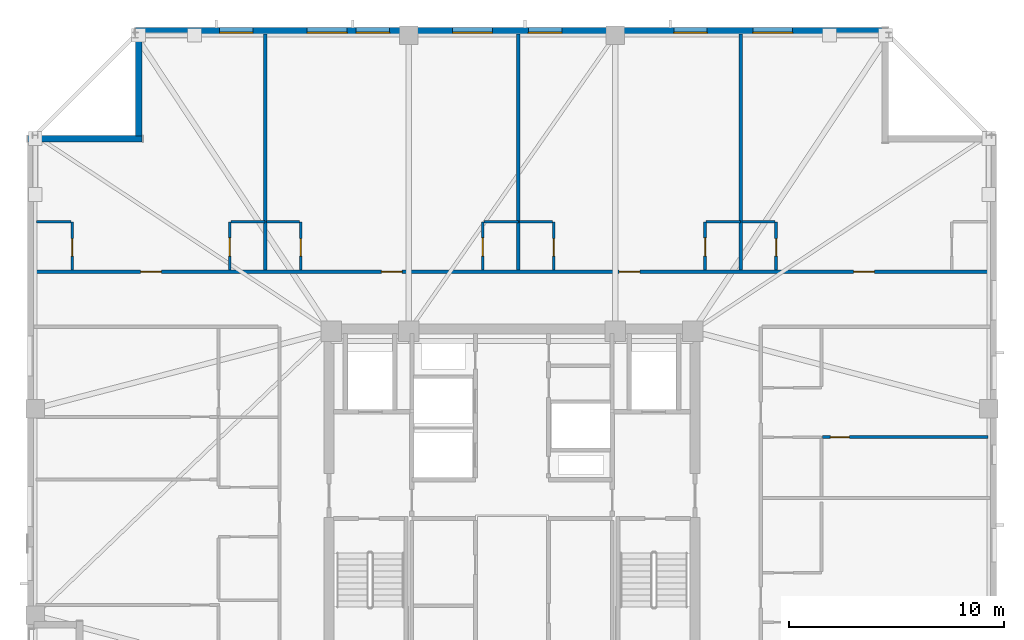
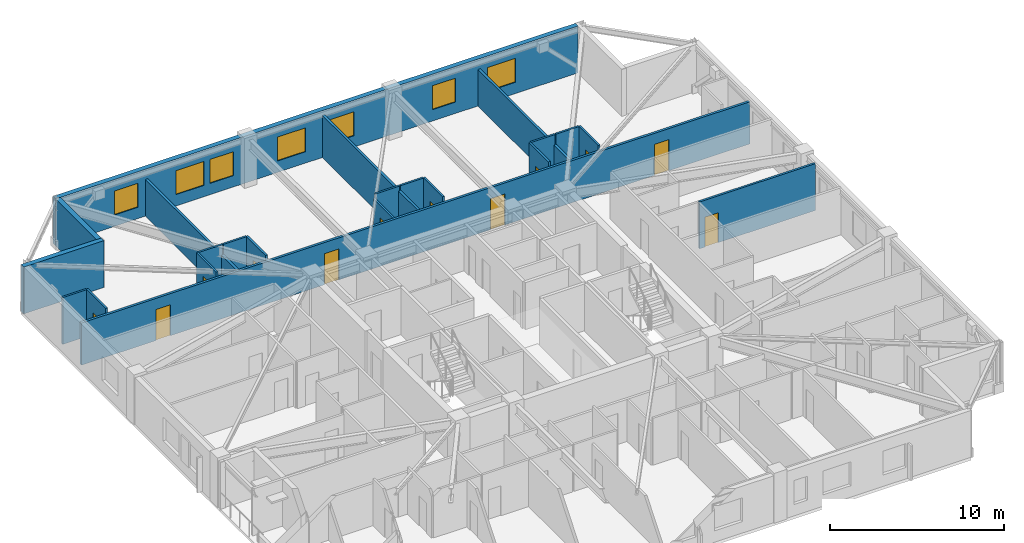
# One storey, part 11 of 16: 22 walls, 12 doors, 7 windows, 19 openings.
"""IFC4 building model written with IfcOpenShell, lengths in metres."""

from ifc_helpers import new_model, si_unit, direction, frame, frame_2d, origin, place, context, subcontext, project, spatial, rectangle, extrude, material, layer, layer_set, type_object, element, fill, save


model = new_model("IFC4")

# Units and contexts
model_context = context("Model", 3, precision=1e-05, world=origin(), true_north=direction((0.0, 1.0)))
body_context = subcontext(model_context, "Body", "Model", "MODEL_VIEW")
ifc_project = project(units=[si_unit("LENGTHUNIT", "METRE"), si_unit("AREAUNIT", "SQUARE_METRE"), si_unit("VOLUMEUNIT", "CUBIC_METRE"), si_unit("PLANEANGLEUNIT", "RADIAN"), si_unit("MASSUNIT", "GRAM", prefix="KILO")], contexts=[model_context])

# Site, building, storey
site_placement = place(None, origin())
site = spatial("IfcSite", under=ifc_project, at=site_placement, CompositionType="ELEMENT")
building_placement = place(site_placement, origin())
building = spatial("IfcBuilding", under=site, at=building_placement, Name="Cairnveth Concourse Tower", CompositionType="ELEMENT")
storey_placement = place(building_placement, frame((0.0, 0.0, 255.0)))
storey = spatial("IfcBuildingStorey", under=building, at=storey_placement, Name="L70", CompositionType="ELEMENT", Elevation=255.0)

# Wall, openings, doors
ifc_material_1 = material(Name="Gypsum Plasterboard Partition", Category="gypsum")
ifc_layer_1 = layer(ifc_material_1, 0.159912109375)
ifc_layer_set_1 = layer_set([ifc_layer_1], Name="Gypsum Plasterboard Partition")
wall_type_1 = type_object("IfcWallType", Name="ACOUSTIC PARTY WALL 180", PredefinedType="PARTITIONING", material=ifc_layer_set_1)
wall_1_placement = place(storey_placement, frame((29.804931640625, 50.152587890625, 0.0), z_axis=(0.0, 0.0, 1.0), x_axis=(1.0, 0.0, 0.0)))
wall_1 = element("IfcWall", 1, at=wall_1_placement, inside=storey, type_object=wall_type_1, Name="Interior Wall IW-L70-036", PredefinedType="PARTITIONING", context=body_context, shape_type="SweptSolid", body=[
    extrude(rectangle(XDim=44.39013671875, YDim=0.159912109375, at=frame_2d((22.195068359375, 0.0))), origin(), (0.0, 0.0, 1.0), 2.9580078125),
])
opening_1_placement = place(wall_1_placement, frame((4.94384765625, 0.0, 0.0)))
opening_1 = element("IfcOpeningElement", 2, at=opening_1_placement, cuts=wall_1, Name="Opening ID10", PredefinedType="OPENING", context=body_context, shape_type="SweptSolid", body=[
    extrude(rectangle(XDim=0.9599609375, YDim=2.179931640625, at=frame_2d((0.47998046875, 1.08984375))), frame((0.0, 0.08984375, 0.0), z_axis=(0.0, -1.0, 0.0), x_axis=(1.0, 0.0, 0.0)), (0.0, 0.0, 1.0), 0.179931640625),
])
opening_2_placement = place(wall_1_placement, frame((16.1298828125, 0.0, 0.0)))
opening_2 = element("IfcOpeningElement", 3, at=opening_2_placement, cuts=wall_1, Name="Opening ID10", PredefinedType="OPENING", context=body_context, shape_type="SweptSolid", body=[
    extrude(rectangle(XDim=0.9599609375, YDim=2.179931640625, at=frame_2d((0.47998046875, 1.08984375))), frame((0.0, 0.08984375, 0.0), z_axis=(0.0, -1.0, 0.0), x_axis=(1.0, 0.0, 0.0)), (0.0, 0.0, 1.0), 0.179931640625),
])
opening_3_placement = place(wall_1_placement, frame((27.169921875, 0.0, 0.0)))
opening_3 = element("IfcOpeningElement", 4, at=opening_3_placement, cuts=wall_1, Name="Opening ID10", PredefinedType="OPENING", context=body_context, shape_type="SweptSolid", body=[
    extrude(rectangle(XDim=0.9599609375, YDim=2.179931640625, at=frame_2d((0.47998046875, 1.08984375))), frame((0.0, 0.08984375, 0.0), z_axis=(0.0, -1.0, 0.0), x_axis=(1.0, 0.0, 0.0)), (0.0, 0.0, 1.0), 0.179931640625),
])
opening_4_placement = place(wall_1_placement, frame((38.063720703125, 0.0, 0.0)))
opening_4 = element("IfcOpeningElement", 5, at=opening_4_placement, cuts=wall_1, Name="Opening ID10", PredefinedType="OPENING", context=body_context, shape_type="SweptSolid", body=[
    extrude(rectangle(XDim=0.9599609375, YDim=2.179931640625, at=frame_2d((0.47998046875, 1.08984375))), frame((0.0, 0.08984375, 0.0), z_axis=(0.0, -1.0, 0.0), x_axis=(1.0, 0.0, 0.0)), (0.0, 0.0, 1.0), 0.179931640625),
])
ifc_material_2 = material(Name="Solid Core Hardwood Timber Leaf", Category="wood")
door_type_1 = type_object("IfcDoorType", Name="FLAT ENTRANCE DOOR 960X2150", OperationType="NOTDEFINED", PredefinedType="DOOR", material=ifc_material_2)
door_1_placement = place(opening_1_placement, origin())
door_1 = element("IfcDoor", 6, at=door_1_placement, inside=storey, type_object=door_type_1, Name="Studio L70STN1 Entrance Door", OperationType="SINGLE_SWING_RIGHT", OverallHeight=2.179931640625, OverallWidth=0.9599609375, PredefinedType="DOOR", context=body_context, shape_type="SweptSolid", body=[
    extrude(rectangle(XDim=0.9599609375, YDim=2.179931640625, at=frame_2d((0.47998046875, 1.08984375))), frame((0.0, 0.02490234375, 0.0), z_axis=(0.0, -1.0, 0.0), x_axis=(1.0, 0.0, 0.0)), (0.0, 0.0, 1.0), 0.050048828125),
])
fill(opening_1, door_1)
door_2_placement = place(opening_2_placement, origin())
door_2 = element("IfcDoor", 7, at=door_2_placement, inside=storey, type_object=door_type_1, Name="Studio L70STN2 Entrance Door", OperationType="SINGLE_SWING_LEFT", OverallHeight=2.179931640625, OverallWidth=0.9599609375, PredefinedType="DOOR", context=body_context, shape_type="SweptSolid", body=[
    extrude(rectangle(XDim=0.9599609375, YDim=2.179931640625, at=frame_2d((0.47998046875, 1.08984375))), frame((0.0, 0.02490234375, 0.0), z_axis=(0.0, -1.0, 0.0), x_axis=(1.0, 0.0, 0.0)), (0.0, 0.0, 1.0), 0.050048828125),
])
fill(opening_2, door_2)
door_3_placement = place(opening_3_placement, origin())
door_3 = element("IfcDoor", 8, at=door_3_placement, inside=storey, type_object=door_type_1, Name="Studio L70STN3 Entrance Door", OperationType="SINGLE_SWING_RIGHT", OverallHeight=2.179931640625, OverallWidth=0.9599609375, PredefinedType="DOOR", context=body_context, shape_type="SweptSolid", body=[
    extrude(rectangle(XDim=0.9599609375, YDim=2.179931640625, at=frame_2d((0.47998046875, 1.08984375))), frame((0.0, 0.02490234375, 0.0), z_axis=(0.0, -1.0, 0.0), x_axis=(1.0, 0.0, 0.0)), (0.0, 0.0, 1.0), 0.050048828125),
])
fill(opening_3, door_3)
door_4_placement = place(opening_4_placement, origin())
door_4 = element("IfcDoor", 9, at=door_4_placement, inside=storey, type_object=door_type_1, Name="Studio L70STN4 Entrance Door", OperationType="SINGLE_SWING_LEFT", OverallHeight=2.179931640625, OverallWidth=0.9599609375, PredefinedType="DOOR", context=body_context, shape_type="SweptSolid", body=[
    extrude(rectangle(XDim=0.9599609375, YDim=2.179931640625, at=frame_2d((0.47998046875, 1.08984375))), frame((0.0, 0.02490234375, 0.0), z_axis=(0.0, -1.0, 0.0), x_axis=(1.0, 0.0, 0.0)), (0.0, 0.0, 1.0), 0.050048828125),
])
fill(opening_4, door_4)

# Walls
wall_2_placement = place(storey_placement, frame((40.53759765625, 50.232421875, 0.0), z_axis=(0.0, 0.0, 1.0), x_axis=(0.0, 1.0, 0.0)))
element("IfcWall", 10, at=wall_2_placement, inside=storey, type_object=wall_type_1, Name="Interior Wall IW-L70-078", PredefinedType="PARTITIONING", context=body_context, shape_type="SweptSolid", body=[
    extrude(rectangle(XDim=10.962646484375, YDim=0.159912109375, at=frame_2d((5.4814453125, 0.0))), origin(), (0.0, 0.0, 1.0), 2.572998046875),
])
wall_3_placement = place(storey_placement, frame((52.29248046875, 50.232421875, 0.0), z_axis=(0.0, 0.0, 1.0), x_axis=(0.0, 1.0, 0.0)))
element("IfcWall", 11, at=wall_3_placement, inside=storey, type_object=wall_type_1, Name="Interior Wall IW-L70-083", PredefinedType="PARTITIONING", context=body_context, shape_type="SweptSolid", body=[
    extrude(rectangle(XDim=10.962646484375, YDim=0.159912109375, at=frame_2d((5.4814453125, 0.0))), origin(), (0.0, 0.0, 1.0), 2.9580078125),
])
wall_4_placement = place(storey_placement, frame((62.617431640625, 50.232421875, 0.0), z_axis=(0.0, 0.0, 1.0), x_axis=(0.0, 1.0, 0.0)))
element("IfcWall", 12, at=wall_4_placement, inside=storey, type_object=wall_type_1, Name="Interior Wall IW-L70-088", PredefinedType="PARTITIONING", context=body_context, shape_type="SweptSolid", body=[
    extrude(rectangle(XDim=10.962646484375, YDim=0.159912109375, at=frame_2d((5.4814453125, 0.0))), origin(), (0.0, 0.0, 1.0), 2.572998046875),
])

# Wall, opening, door
ifc_layer_2 = layer(ifc_material_1, 0.139892578125)
ifc_layer_set_2 = layer_set([ifc_layer_2], Name="Gypsum Plasterboard Partition")
wall_type_2 = type_object("IfcWallType", Name="GYPSUM STUD PARTITION 140", PredefinedType="PARTITIONING", material=ifc_layer_set_2)
wall_5_placement = place(storey_placement, frame((66.429931640625, 42.47509765625, 0.0), z_axis=(0.0, 0.0, 1.0), x_axis=(1.0, 0.0, 0.0)))
wall_5 = element("IfcWall", 13, at=wall_5_placement, inside=storey, type_object=wall_type_2, Name="Interior Wall IW-L70-115", PredefinedType="PARTITIONING", context=body_context, shape_type="SweptSolid", body=[
    extrude(rectangle(XDim=7.690185546875, YDim=0.139892578125, at=frame_2d((3.84521484375, 0.0))), origin(), (0.0, 0.0, 1.0), 3.2900390625),
])
opening_5_placement = place(wall_5_placement, frame((0.360107421875, 0.0, 0.0)))
opening_5 = element("IfcOpeningElement", 14, at=opening_5_placement, cuts=wall_5, Name="Opening ID18", PredefinedType="OPENING", context=body_context, shape_type="SweptSolid", body=[
    extrude(rectangle(XDim=0.8798828125, YDim=2.10009765625, at=frame_2d((0.43994140625, 1.050048828125))), frame((0.0, 0.079833984375, 0.0), z_axis=(0.0, -1.0, 0.0), x_axis=(1.0, 0.0, 0.0)), (0.0, 0.0, 1.0), 0.159912109375),
])
door_type_2 = type_object("IfcDoorType", Name="INTERIOR SINGLE DOOR 880X2100", OperationType="NOTDEFINED", PredefinedType="DOOR", material=ifc_material_2)
door_5_placement = place(opening_5_placement, origin())
door_5 = element("IfcDoor", 15, at=door_5_placement, inside=storey, type_object=door_type_2, Name="L70E2 Master Bedroom Door", OperationType="SINGLE_SWING_RIGHT", OverallHeight=2.10009765625, OverallWidth=0.8798828125, PredefinedType="DOOR", context=body_context, shape_type="SweptSolid", body=[
    extrude(rectangle(XDim=0.8798828125, YDim=2.10009765625, at=frame_2d((0.43994140625, 1.050048828125))), frame((0.0, 0.02490234375, 0.0), z_axis=(0.0, -1.0, 0.0), x_axis=(1.0, 0.0, 0.0)), (0.0, 0.0, 1.0), 0.050048828125),
])
fill(opening_5, door_5)

ifc_layer_3 = layer(ifc_material_1, 0.1298828125)
ifc_layer_set_3 = layer_set([ifc_layer_3], Name="Gypsum Plasterboard Partition")
wall_type_3 = type_object("IfcWallType", Name="WET AREA PARTITION 140", PredefinedType="PLUMBINGWALL", material=ifc_layer_set_3)
wall_6_placement = place(storey_placement, frame((31.570068359375, 50.232421875, 0.0), z_axis=(0.0, 0.0, 1.0), x_axis=(0.0, 1.0, 0.0)))
wall_6 = element("IfcWall", 16, at=wall_6_placement, inside=storey, type_object=wall_type_3, Name="Interior Wall IW-L70-074", PredefinedType="PLUMBINGWALL", context=body_context, shape_type="SweptSolid", body=[
    extrude(rectangle(XDim=2.25, YDim=0.1298828125, at=frame_2d((1.125, 0.0))), origin(), (0.0, 0.0, 1.0), 3.2900390625),
])
opening_6_placement = place(wall_6_placement, frame((0.64990234375, 0.0, 0.0)))
opening_6 = element("IfcOpeningElement", 17, at=opening_6_placement, cuts=wall_6, Name="Opening ID22", PredefinedType="OPENING", context=body_context, shape_type="SweptSolid", body=[
    extrude(rectangle(XDim=0.820068359375, YDim=2.10009765625, at=frame_2d((0.41015625, 1.050048828125))), frame((0.0, 0.074951171875, 0.0), z_axis=(0.0, -1.0, 0.0), x_axis=(1.0, 0.0, 0.0)), (0.0, 0.0, 1.0), 0.14990234375),
])
door_type_3 = type_object("IfcDoorType", Name="INTERIOR WC DOOR 820X2100", OperationType="NOTDEFINED", PredefinedType="DOOR", material=ifc_material_2)
door_6_placement = place(opening_6_placement, origin())
door_6 = element("IfcDoor", 18, at=door_6_placement, inside=storey, type_object=door_type_3, Name="L70STN1 Bathroom Door", OperationType="SINGLE_SWING_RIGHT", OverallHeight=2.10009765625, OverallWidth=0.820068359375, PredefinedType="DOOR", context=body_context, shape_type="SweptSolid", body=[
    extrude(rectangle(XDim=0.820068359375, YDim=2.10009765625, at=frame_2d((0.41015625, 1.050048828125))), frame((0.0, 0.02490234375, 0.0), z_axis=(0.0, -1.0, 0.0), x_axis=(1.0, 0.0, 0.0)), (0.0, 0.0, 1.0), 0.050048828125),
])
fill(opening_6, door_6)

# Wall
wall_7_placement = place(storey_placement, frame((29.919921875, 52.482421875, 0.0), z_axis=(0.0, 0.0, 1.0), x_axis=(1.0, 0.0, 0.0)))
element("IfcWall", 19, at=wall_7_placement, inside=storey, type_object=wall_type_3, Name="Interior Wall IW-L70-075", PredefinedType="PLUMBINGWALL", context=body_context, shape_type="SweptSolid", body=[
    extrude(rectangle(XDim=1.60009765625, YDim=0.1298828125, at=frame_2d((0.800048828125, 0.0))), origin(), (0.0, 0.0, 1.0), 3.2900390625),
])

# Wall, opening, door
wall_8_placement = place(storey_placement, frame((38.887451171875, 50.232421875, 0.0), z_axis=(0.0, 0.0, 1.0), x_axis=(0.0, 1.0, 0.0)))
wall_8 = element("IfcWall", 20, at=wall_8_placement, inside=storey, type_object=wall_type_3, Name="Interior Wall IW-L70-076", PredefinedType="PLUMBINGWALL", context=body_context, shape_type="SweptSolid", body=[
    extrude(rectangle(XDim=2.25, YDim=0.1298828125, at=frame_2d((1.125, 0.0))), origin(), (0.0, 0.0, 1.0), 3.2900390625),
])
opening_7_placement = place(wall_8_placement, frame((0.64990234375, 0.0, 0.0)))
opening_7 = element("IfcOpeningElement", 21, at=opening_7_placement, cuts=wall_8, Name="Opening ID20", PredefinedType="OPENING", context=body_context, shape_type="SweptSolid", body=[
    extrude(rectangle(XDim=0.85009765625, YDim=2.10009765625, at=frame_2d((0.425048828125, 1.050048828125))), frame((0.0, 0.074951171875, 0.0), z_axis=(0.0, -1.0, 0.0), x_axis=(1.0, 0.0, 0.0)), (0.0, 0.0, 1.0), 0.14990234375),
])
door_type_4 = type_object("IfcDoorType", Name="INTERIOR SINGLE DOOR 850X2100", OperationType="NOTDEFINED", PredefinedType="DOOR", material=ifc_material_2)
door_7_placement = place(opening_7_placement, origin())
door_7 = element("IfcDoor", 22, at=door_7_placement, inside=storey, type_object=door_type_4, Name="L70STN1 Kitchen Door", OperationType="SINGLE_SWING_LEFT", OverallHeight=2.10009765625, OverallWidth=0.85009765625, PredefinedType="DOOR", context=body_context, shape_type="SweptSolid", body=[
    extrude(rectangle(XDim=0.85009765625, YDim=2.10009765625, at=frame_2d((0.425048828125, 1.050048828125))), frame((0.0, 0.02490234375, 0.0), z_axis=(0.0, -1.0, 0.0), x_axis=(1.0, 0.0, 0.0)), (0.0, 0.0, 1.0), 0.050048828125),
])
fill(opening_7, door_7)

# Wall
wall_9_placement = place(storey_placement, frame((38.9375, 52.482421875, 0.0), z_axis=(0.0, 0.0, 1.0), x_axis=(1.0, 0.0, 0.0)))
element("IfcWall", 23, at=wall_9_placement, inside=storey, type_object=wall_type_3, Name="Interior Wall IW-L70-077", PredefinedType="PLUMBINGWALL", context=body_context, shape_type="SweptSolid", body=[
    extrude(rectangle(XDim=1.60009765625, YDim=0.1298828125, at=frame_2d((0.800048828125, 0.0))), origin(), (0.0, 0.0, 1.0), 3.2900390625),
])

# Wall, opening, door
wall_10_placement = place(storey_placement, frame((42.1875, 50.232421875, 0.0), z_axis=(0.0, 0.0, 1.0), x_axis=(0.0, 1.0, 0.0)))
wall_10 = element("IfcWall", 24, at=wall_10_placement, inside=storey, type_object=wall_type_3, Name="Interior Wall IW-L70-079", PredefinedType="PLUMBINGWALL", context=body_context, shape_type="SweptSolid", body=[
    extrude(rectangle(XDim=2.25, YDim=0.1298828125, at=frame_2d((1.125, 0.0))), origin(), (0.0, 0.0, 1.0), 3.2900390625),
])
opening_8_placement = place(wall_10_placement, frame((0.64990234375, 0.0, 0.0)))
opening_8 = element("IfcOpeningElement", 25, at=opening_8_placement, cuts=wall_10, Name="Opening ID22", PredefinedType="OPENING", context=body_context, shape_type="SweptSolid", body=[
    extrude(rectangle(XDim=0.820068359375, YDim=2.10009765625, at=frame_2d((0.41015625, 1.050048828125))), frame((0.0, 0.074951171875, 0.0), z_axis=(0.0, -1.0, 0.0), x_axis=(1.0, 0.0, 0.0)), (0.0, 0.0, 1.0), 0.14990234375),
])
door_8_placement = place(opening_8_placement, origin())
door_8 = element("IfcDoor", 26, at=door_8_placement, inside=storey, type_object=door_type_3, Name="L70STN2 Bathroom Door", OperationType="SINGLE_SWING_LEFT", OverallHeight=2.10009765625, OverallWidth=0.820068359375, PredefinedType="DOOR", context=body_context, shape_type="SweptSolid", body=[
    extrude(rectangle(XDim=0.820068359375, YDim=2.10009765625, at=frame_2d((0.41015625, 1.050048828125))), frame((0.0, 0.02490234375, 0.0), z_axis=(0.0, -1.0, 0.0), x_axis=(1.0, 0.0, 0.0)), (0.0, 0.0, 1.0), 0.050048828125),
])
fill(opening_8, door_8)

# Wall
wall_11_placement = place(storey_placement, frame((40.6025390625, 52.482421875, 0.0), z_axis=(0.0, 0.0, 1.0), x_axis=(1.0, 0.0, 0.0)))
element("IfcWall", 27, at=wall_11_placement, inside=storey, type_object=wall_type_3, Name="Interior Wall IW-L70-080", PredefinedType="PLUMBINGWALL", context=body_context, shape_type="SweptSolid", body=[
    extrude(rectangle(XDim=1.534912109375, YDim=0.1298828125, at=frame_2d((0.767578125, 0.0))), origin(), (0.0, 0.0, 1.0), 3.2900390625),
])

# Wall, opening, door
wall_12_placement = place(storey_placement, frame((50.642578125, 50.232421875, 0.0), z_axis=(0.0, 0.0, 1.0), x_axis=(0.0, 1.0, 0.0)))
wall_12 = element("IfcWall", 28, at=wall_12_placement, inside=storey, type_object=wall_type_3, Name="Interior Wall IW-L70-081", PredefinedType="PLUMBINGWALL", context=body_context, shape_type="SweptSolid", body=[
    extrude(rectangle(XDim=2.25, YDim=0.1298828125, at=frame_2d((1.125, 0.0))), origin(), (0.0, 0.0, 1.0), 2.9580078125),
])
opening_9_placement = place(wall_12_placement, frame((0.64990234375, 0.0, 0.0)))
opening_9 = element("IfcOpeningElement", 29, at=opening_9_placement, cuts=wall_12, Name="Opening ID20", PredefinedType="OPENING", context=body_context, shape_type="SweptSolid", body=[
    extrude(rectangle(XDim=0.85009765625, YDim=2.10009765625, at=frame_2d((0.425048828125, 1.050048828125))), frame((0.0, 0.074951171875, 0.0), z_axis=(0.0, -1.0, 0.0), x_axis=(1.0, 0.0, 0.0)), (0.0, 0.0, 1.0), 0.14990234375),
])
door_9_placement = place(opening_9_placement, origin())
door_9 = element("IfcDoor", 30, at=door_9_placement, inside=storey, type_object=door_type_4, Name="L70STN2 Kitchen Door", OperationType="SINGLE_SWING_RIGHT", OverallHeight=2.10009765625, OverallWidth=0.85009765625, PredefinedType="DOOR", context=body_context, shape_type="SweptSolid", body=[
    extrude(rectangle(XDim=0.85009765625, YDim=2.10009765625, at=frame_2d((0.425048828125, 1.050048828125))), frame((0.0, 0.02490234375, 0.0), z_axis=(0.0, -1.0, 0.0), x_axis=(1.0, 0.0, 0.0)), (0.0, 0.0, 1.0), 0.050048828125),
])
fill(opening_9, door_9)

# Wall
wall_13_placement = place(storey_placement, frame((50.6923828125, 52.482421875, 0.0), z_axis=(0.0, 0.0, 1.0), x_axis=(1.0, 0.0, 0.0)))
element("IfcWall", 31, at=wall_13_placement, inside=storey, type_object=wall_type_3, Name="Interior Wall IW-L70-082", PredefinedType="PLUMBINGWALL", context=body_context, shape_type="SweptSolid", body=[
    extrude(rectangle(XDim=1.60009765625, YDim=0.1298828125, at=frame_2d((0.800048828125, 0.0))), origin(), (0.0, 0.0, 1.0), 3.2900390625),
])

# Wall, opening, door
wall_14_placement = place(storey_placement, frame((53.9423828125, 50.232421875, 0.0), z_axis=(0.0, 0.0, 1.0), x_axis=(0.0, 1.0, 0.0)))
wall_14 = element("IfcWall", 32, at=wall_14_placement, inside=storey, type_object=wall_type_3, Name="Interior Wall IW-L70-084", PredefinedType="PLUMBINGWALL", context=body_context, shape_type="SweptSolid", body=[
    extrude(rectangle(XDim=2.25, YDim=0.1298828125, at=frame_2d((1.125, 0.0))), origin(), (0.0, 0.0, 1.0), 3.2900390625),
])
opening_10_placement = place(wall_14_placement, frame((0.64990234375, 0.0, 0.0)))
opening_10 = element("IfcOpeningElement", 33, at=opening_10_placement, cuts=wall_14, Name="Opening ID22", PredefinedType="OPENING", context=body_context, shape_type="SweptSolid", body=[
    extrude(rectangle(XDim=0.820068359375, YDim=2.10009765625, at=frame_2d((0.41015625, 1.050048828125))), frame((0.0, 0.074951171875, 0.0), z_axis=(0.0, -1.0, 0.0), x_axis=(1.0, 0.0, 0.0)), (0.0, 0.0, 1.0), 0.14990234375),
])
door_10_placement = place(opening_10_placement, origin())
door_10 = element("IfcDoor", 34, at=door_10_placement, inside=storey, type_object=door_type_3, Name="L70STN3 Bathroom Door", OperationType="SINGLE_SWING_RIGHT", OverallHeight=2.10009765625, OverallWidth=0.820068359375, PredefinedType="DOOR", context=body_context, shape_type="SweptSolid", body=[
    extrude(rectangle(XDim=0.820068359375, YDim=2.10009765625, at=frame_2d((0.41015625, 1.050048828125))), frame((0.0, 0.02490234375, 0.0), z_axis=(0.0, -1.0, 0.0), x_axis=(1.0, 0.0, 0.0)), (0.0, 0.0, 1.0), 0.050048828125),
])
fill(opening_10, door_10)

# Wall
wall_15_placement = place(storey_placement, frame((52.357421875, 52.482421875, 0.0), z_axis=(0.0, 0.0, 1.0), x_axis=(1.0, 0.0, 0.0)))
element("IfcWall", 35, at=wall_15_placement, inside=storey, type_object=wall_type_3, Name="Interior Wall IW-L70-085", PredefinedType="PLUMBINGWALL", context=body_context, shape_type="SweptSolid", body=[
    extrude(rectangle(XDim=1.53515625, YDim=0.1298828125, at=frame_2d((0.767578125, 0.0))), origin(), (0.0, 0.0, 1.0), 3.2900390625),
])

# Wall, opening, door
wall_16_placement = place(storey_placement, frame((60.967529296875, 50.232421875, 0.0), z_axis=(0.0, 0.0, 1.0), x_axis=(0.0, 1.0, 0.0)))
wall_16 = element("IfcWall", 36, at=wall_16_placement, inside=storey, type_object=wall_type_3, Name="Interior Wall IW-L70-086", PredefinedType="PLUMBINGWALL", context=body_context, shape_type="SweptSolid", body=[
    extrude(rectangle(XDim=2.25, YDim=0.1298828125, at=frame_2d((1.125, 0.0))), origin(), (0.0, 0.0, 1.0), 3.2900390625),
])
opening_11_placement = place(wall_16_placement, frame((0.64990234375, 0.0, 0.0)))
opening_11 = element("IfcOpeningElement", 37, at=opening_11_placement, cuts=wall_16, Name="Opening ID20", PredefinedType="OPENING", context=body_context, shape_type="SweptSolid", body=[
    extrude(rectangle(XDim=0.85009765625, YDim=2.10009765625, at=frame_2d((0.425048828125, 1.050048828125))), frame((0.0, 0.074951171875, 0.0), z_axis=(0.0, -1.0, 0.0), x_axis=(1.0, 0.0, 0.0)), (0.0, 0.0, 1.0), 0.14990234375),
])
door_11_placement = place(opening_11_placement, origin())
door_11 = element("IfcDoor", 38, at=door_11_placement, inside=storey, type_object=door_type_4, Name="L70STN3 Kitchen Door", OperationType="SINGLE_SWING_LEFT", OverallHeight=2.10009765625, OverallWidth=0.85009765625, PredefinedType="DOOR", context=body_context, shape_type="SweptSolid", body=[
    extrude(rectangle(XDim=0.85009765625, YDim=2.10009765625, at=frame_2d((0.425048828125, 1.050048828125))), frame((0.0, 0.02490234375, 0.0), z_axis=(0.0, -1.0, 0.0), x_axis=(1.0, 0.0, 0.0)), (0.0, 0.0, 1.0), 0.050048828125),
])
fill(opening_11, door_11)

# Wall
wall_17_placement = place(storey_placement, frame((61.017578125, 52.482421875, 0.0), z_axis=(0.0, 0.0, 1.0), x_axis=(1.0, 0.0, 0.0)))
element("IfcWall", 39, at=wall_17_placement, inside=storey, type_object=wall_type_3, Name="Interior Wall IW-L70-087", PredefinedType="PLUMBINGWALL", context=body_context, shape_type="SweptSolid", body=[
    extrude(rectangle(XDim=1.599853515625, YDim=0.1298828125, at=frame_2d((0.7998046875, 0.0))), origin(), (0.0, 0.0, 1.0), 3.2900390625),
])

# Wall, opening, door
wall_18_placement = place(storey_placement, frame((64.267578125, 50.232421875, 0.0), z_axis=(0.0, 0.0, 1.0), x_axis=(0.0, 1.0, 0.0)))
wall_18 = element("IfcWall", 40, at=wall_18_placement, inside=storey, type_object=wall_type_3, Name="Interior Wall IW-L70-089", PredefinedType="PLUMBINGWALL", context=body_context, shape_type="SweptSolid", body=[
    extrude(rectangle(XDim=2.25, YDim=0.1298828125, at=frame_2d((1.125, 0.0))), origin(), (0.0, 0.0, 1.0), 3.2900390625),
])
opening_12_placement = place(wall_18_placement, frame((0.64990234375, 0.0, 0.0)))
opening_12 = element("IfcOpeningElement", 41, at=opening_12_placement, cuts=wall_18, Name="Opening ID22", PredefinedType="OPENING", context=body_context, shape_type="SweptSolid", body=[
    extrude(rectangle(XDim=0.820068359375, YDim=2.10009765625, at=frame_2d((0.41015625, 1.050048828125))), frame((0.0, 0.074951171875, 0.0), z_axis=(0.0, -1.0, 0.0), x_axis=(1.0, 0.0, 0.0)), (0.0, 0.0, 1.0), 0.14990234375),
])
door_12_placement = place(opening_12_placement, origin())
door_12 = element("IfcDoor", 42, at=door_12_placement, inside=storey, type_object=door_type_3, Name="L70STN4 Bathroom Door", OperationType="SINGLE_SWING_LEFT", OverallHeight=2.10009765625, OverallWidth=0.820068359375, PredefinedType="DOOR", context=body_context, shape_type="SweptSolid", body=[
    extrude(rectangle(XDim=0.820068359375, YDim=2.10009765625, at=frame_2d((0.41015625, 1.050048828125))), frame((0.0, 0.02490234375, 0.0), z_axis=(0.0, -1.0, 0.0), x_axis=(1.0, 0.0, 0.0)), (0.0, 0.0, 1.0), 0.050048828125),
])
fill(opening_12, door_12)

# Walls
wall_19_placement = place(storey_placement, frame((62.6826171875, 52.482421875, 0.0), z_axis=(0.0, 0.0, 1.0), x_axis=(1.0, 0.0, 0.0)))
element("IfcWall", 43, at=wall_19_placement, inside=storey, type_object=wall_type_3, Name="Interior Wall IW-L70-090", PredefinedType="PLUMBINGWALL", context=body_context, shape_type="SweptSolid", body=[
    extrude(rectangle(XDim=1.534912109375, YDim=0.1298828125, at=frame_2d((0.767578125, 0.0))), origin(), (0.0, 0.0, 1.0), 3.2900390625),
])
ifc_material_3 = material(Name="Melbourne Buff Fired Clay Brick Masonry", Category="masonry")
ifc_layer_4 = layer(ifc_material_3, 0.320068359375)
ifc_layer_set_4 = layer_set([ifc_layer_4], Name="Melbourne Buff Fired Clay Brick Masonry")
wall_type_4 = type_object("IfcWallType", Name="ZONE 3 BRICK PIER SPANDREL WALL 320", PredefinedType="SOLIDWALL", material=ifc_layer_set_4)
wall_20_placement = place(storey_placement, frame((29.5, 56.340087890625, 0.0), z_axis=(0.0, 0.0, 1.0), x_axis=(1.0, 0.0, 0.0)))
element("IfcWall", 44, at=wall_20_placement, inside=storey, type_object=wall_type_4, Name="Exterior Wall EW-L70-S01", PredefinedType="SOLIDWALL", context=body_context, shape_type="SweptSolid", body=[
    extrude(rectangle(XDim=5.320068359375, YDim=0.320068359375, at=frame_2d((2.66015625, 0.0))), origin(), (0.0, 0.0, 1.0), 3.2900390625),
])
wall_21_placement = place(storey_placement, frame((34.659912109375, 56.47802734375, 0.0), z_axis=(0.0, 0.0, 1.0), x_axis=(0.0, 1.0, 0.0)))
element("IfcWall", 45, at=wall_21_placement, inside=storey, type_object=wall_type_4, Name="Exterior Wall EW-L70-S02", PredefinedType="SOLIDWALL", context=body_context, shape_type="SweptSolid", body=[
    extrude(rectangle(XDim=4.723876953125, YDim=0.320068359375, at=frame_2d((2.36181640625, 0.0))), origin(), (0.0, 0.0, 1.0), 3.2900390625),
])

# Wall, openings, windows
wall_22_placement = place(storey_placement, frame((34.5, 61.340087890625, 0.0), z_axis=(0.0, 0.0, 1.0), x_axis=(1.0, 0.0, 0.0)))
wall_22 = element("IfcWall", 46, at=wall_22_placement, inside=storey, type_object=wall_type_4, Name="Exterior Wall EW-L70-S03", PredefinedType="SOLIDWALL", context=body_context, shape_type="SweptSolid", body=[
    extrude(rectangle(XDim=34.701904296875, YDim=0.320068359375, at=frame_2d((17.35107421875, 0.0))), origin(), (0.0, 0.0, 1.0), 3.2900390625),
])
opening_13_placement = place(wall_22_placement, frame((3.91259765625, 0.0, 0.800048828125)))
opening_13 = element("IfcOpeningElement", 47, at=opening_13_placement, cuts=wall_22, Name="Opening W07", PredefinedType="OPENING", context=body_context, shape_type="SweptSolid", body=[
    extrude(rectangle(XDim=1.550048828125, YDim=1.677978515625, at=frame_2d((0.77490234375, 0.8388671875))), frame((0.0, 0.169921875, 0.0), z_axis=(0.0, -1.0, 0.0), x_axis=(1.0, 0.0, 0.0)), (0.0, 0.0, 1.0), 0.340087890625),
])
opening_14_placement = place(wall_22_placement, frame((7.98779296875, 0.0, 0.800048828125)))
opening_14 = element("IfcOpeningElement", 48, at=opening_14_placement, cuts=wall_22, Name="Opening W08", PredefinedType="OPENING", context=body_context, shape_type="SweptSolid", body=[
    extrude(rectangle(XDim=1.85009765625, YDim=1.677978515625, at=frame_2d((0.925048828125, 0.8388671875))), frame((0.0, 0.169921875, 0.0), z_axis=(0.0, -1.0, 0.0), x_axis=(1.0, 0.0, 0.0)), (0.0, 0.0, 1.0), 0.340087890625),
])
opening_15_placement = place(wall_22_placement, frame((10.26318359375, 0.0, 0.800048828125)))
opening_15 = element("IfcOpeningElement", 49, at=opening_15_placement, cuts=wall_22, Name="Opening W07", PredefinedType="OPENING", context=body_context, shape_type="SweptSolid", body=[
    extrude(rectangle(XDim=1.550048828125, YDim=1.677978515625, at=frame_2d((0.77490234375, 0.8388671875))), frame((0.0, 0.169921875, 0.0), z_axis=(0.0, -1.0, 0.0), x_axis=(1.0, 0.0, 0.0)), (0.0, 0.0, 1.0), 0.340087890625),
])
opening_16_placement = place(wall_22_placement, frame((14.73828125, 0.0, 0.800048828125)))
opening_16 = element("IfcOpeningElement", 50, at=opening_16_placement, cuts=wall_22, Name="Opening W08", PredefinedType="OPENING", context=body_context, shape_type="SweptSolid", body=[
    extrude(rectangle(XDim=1.85009765625, YDim=1.677978515625, at=frame_2d((0.925048828125, 0.8388671875))), frame((0.0, 0.169921875, 0.0), z_axis=(0.0, -1.0, 0.0), x_axis=(1.0, 0.0, 0.0)), (0.0, 0.0, 1.0), 0.340087890625),
])
opening_17_placement = place(wall_22_placement, frame((18.263671875, 0.0, 0.800048828125)))
opening_17 = element("IfcOpeningElement", 51, at=opening_17_placement, cuts=wall_22, Name="Opening W07", PredefinedType="OPENING", context=body_context, shape_type="SweptSolid", body=[
    extrude(rectangle(XDim=1.550048828125, YDim=1.677978515625, at=frame_2d((0.77490234375, 0.8388671875))), frame((0.0, 0.169921875, 0.0), z_axis=(0.0, -1.0, 0.0), x_axis=(1.0, 0.0, 0.0)), (0.0, 0.0, 1.0), 0.340087890625),
])
opening_18_placement = place(wall_22_placement, frame((25.01416015625, 0.0, 0.800048828125)))
opening_18 = element("IfcOpeningElement", 52, at=opening_18_placement, cuts=wall_22, Name="Opening W07", PredefinedType="OPENING", context=body_context, shape_type="SweptSolid", body=[
    extrude(rectangle(XDim=1.550048828125, YDim=1.677978515625, at=frame_2d((0.77490234375, 0.8388671875))), frame((0.0, 0.169921875, 0.0), z_axis=(0.0, -1.0, 0.0), x_axis=(1.0, 0.0, 0.0)), (0.0, 0.0, 1.0), 0.340087890625),
])
opening_19_placement = place(wall_22_placement, frame((28.689453125, 0.0, 0.800048828125)))
opening_19 = element("IfcOpeningElement", 53, at=opening_19_placement, cuts=wall_22, Name="Opening W08", PredefinedType="OPENING", context=body_context, shape_type="SweptSolid", body=[
    extrude(rectangle(XDim=1.85009765625, YDim=1.677978515625, at=frame_2d((0.925048828125, 0.8388671875))), frame((0.0, 0.169921875, 0.0), z_axis=(0.0, -1.0, 0.0), x_axis=(1.0, 0.0, 0.0)), (0.0, 0.0, 1.0), 0.340087890625),
])
ifc_material_4 = material(Name="Double Glazed Low-E Clear Glass", Category="glass")
window_type_1 = type_object("IfcWindowType", Name="DEEP-SET APARTMENT LIVING WINDOW 1850X1850", PartitioningType="DOUBLE_PANEL_VERTICAL", PredefinedType="WINDOW", material=ifc_material_4)
window_1_placement = place(opening_14_placement, origin())
window_1 = element("IfcWindow", 54, at=window_1_placement, inside=storey, type_object=window_type_1, Name="Gothic Lancet Window L70-3-2", OverallHeight=1.677978515625, OverallWidth=1.85009765625, PartitioningType="SINGLE_PANEL", PredefinedType="WINDOW", context=body_context, shape_type="SweptSolid", body=[
    extrude(rectangle(XDim=1.85009765625, YDim=1.677978515625, at=frame_2d((0.925048828125, 0.8388671875))), frame((0.0, -0.050048828125, 0.0), z_axis=(0.0, -1.0, 0.0), x_axis=(1.0, 0.0, 0.0)), (0.0, 0.0, 1.0), 0.06005859375),
])
fill(opening_14, window_1)
window_2_placement = place(opening_16_placement, origin())
window_2 = element("IfcWindow", 55, at=window_2_placement, inside=storey, type_object=window_type_1, Name="Gothic Lancet Window L70-3-4", OverallHeight=1.677978515625, OverallWidth=1.85009765625, PartitioningType="SINGLE_PANEL", PredefinedType="WINDOW", context=body_context, shape_type="SweptSolid", body=[
    extrude(rectangle(XDim=1.85009765625, YDim=1.677978515625, at=frame_2d((0.925048828125, 0.8388671875))), frame((0.0, -0.050048828125, 0.0), z_axis=(0.0, -1.0, 0.0), x_axis=(1.0, 0.0, 0.0)), (0.0, 0.0, 1.0), 0.06005859375),
])
fill(opening_16, window_2)
window_3_placement = place(opening_19_placement, origin())
window_3 = element("IfcWindow", 56, at=window_3_placement, inside=storey, type_object=window_type_1, Name="Gothic Lancet Window L70-3-8", OverallHeight=1.677978515625, OverallWidth=1.85009765625, PartitioningType="SINGLE_PANEL", PredefinedType="WINDOW", context=body_context, shape_type="SweptSolid", body=[
    extrude(rectangle(XDim=1.85009765625, YDim=1.677978515625, at=frame_2d((0.925048828125, 0.8388671875))), frame((0.0, -0.050048828125, 0.0), z_axis=(0.0, -1.0, 0.0), x_axis=(1.0, 0.0, 0.0)), (0.0, 0.0, 1.0), 0.06005859375),
])
fill(opening_19, window_3)
window_type_2 = type_object("IfcWindowType", Name="DEEP-SET APARTMENT WINDOW 1550X1800", PartitioningType="DOUBLE_PANEL_VERTICAL", PredefinedType="WINDOW", material=ifc_material_4)
window_4_placement = place(opening_13_placement, origin())
window_4 = element("IfcWindow", 57, at=window_4_placement, inside=storey, type_object=window_type_2, Name="Gothic Lancet Window L70-3-1", OverallHeight=1.677978515625, OverallWidth=1.550048828125, PartitioningType="SINGLE_PANEL", PredefinedType="WINDOW", context=body_context, shape_type="SweptSolid", body=[
    extrude(rectangle(XDim=1.550048828125, YDim=1.677978515625, at=frame_2d((0.77490234375, 0.8388671875))), frame((0.0, -0.050048828125, 0.0), z_axis=(0.0, -1.0, 0.0), x_axis=(1.0, 0.0, 0.0)), (0.0, 0.0, 1.0), 0.06005859375),
])
fill(opening_13, window_4)
window_5_placement = place(opening_15_placement, origin())
window_5 = element("IfcWindow", 58, at=window_5_placement, inside=storey, type_object=window_type_2, Name="Gothic Lancet Window L70-3-3", OverallHeight=1.677978515625, OverallWidth=1.550048828125, PartitioningType="SINGLE_PANEL", PredefinedType="WINDOW", context=body_context, shape_type="SweptSolid", body=[
    extrude(rectangle(XDim=1.550048828125, YDim=1.677978515625, at=frame_2d((0.77490234375, 0.8388671875))), frame((0.0, -0.050048828125, 0.0), z_axis=(0.0, -1.0, 0.0), x_axis=(1.0, 0.0, 0.0)), (0.0, 0.0, 1.0), 0.06005859375),
])
fill(opening_15, window_5)
window_6_placement = place(opening_17_placement, origin())
window_6 = element("IfcWindow", 59, at=window_6_placement, inside=storey, type_object=window_type_2, Name="Gothic Lancet Window L70-3-5", OverallHeight=1.677978515625, OverallWidth=1.550048828125, PartitioningType="SINGLE_PANEL", PredefinedType="WINDOW", context=body_context, shape_type="SweptSolid", body=[
    extrude(rectangle(XDim=1.550048828125, YDim=1.677978515625, at=frame_2d((0.77490234375, 0.8388671875))), frame((0.0, -0.050048828125, 0.0), z_axis=(0.0, -1.0, 0.0), x_axis=(1.0, 0.0, 0.0)), (0.0, 0.0, 1.0), 0.06005859375),
])
fill(opening_17, window_6)
window_7_placement = place(opening_18_placement, origin())
window_7 = element("IfcWindow", 60, at=window_7_placement, inside=storey, type_object=window_type_2, Name="Gothic Lancet Window L70-3-7", OverallHeight=1.677978515625, OverallWidth=1.550048828125, PartitioningType="SINGLE_PANEL", PredefinedType="WINDOW", context=body_context, shape_type="SweptSolid", body=[
    extrude(rectangle(XDim=1.550048828125, YDim=1.677978515625, at=frame_2d((0.77490234375, 0.8388671875))), frame((0.0, -0.050048828125, 0.0), z_axis=(0.0, -1.0, 0.0), x_axis=(1.0, 0.0, 0.0)), (0.0, 0.0, 1.0), 0.06005859375),
])
fill(opening_18, window_7)

save(model, "model.ifc")
